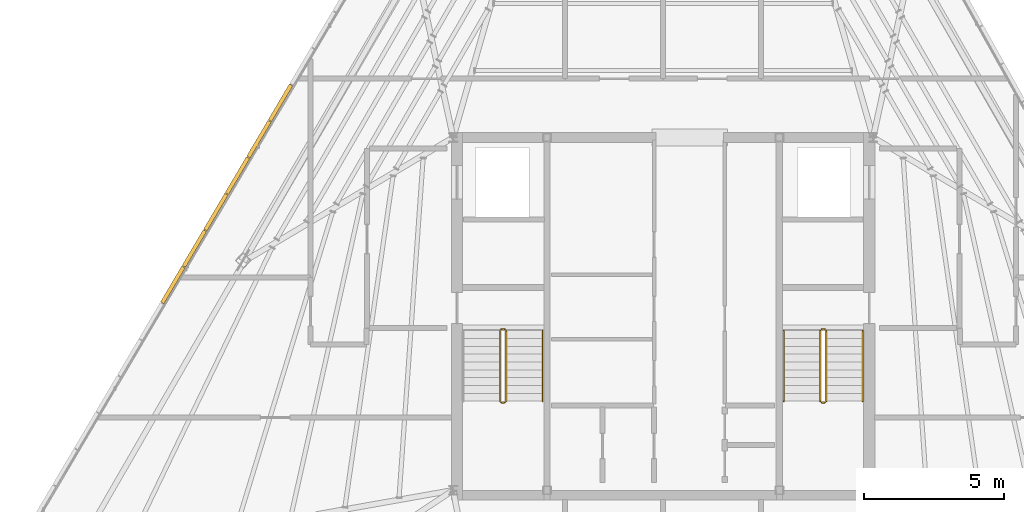
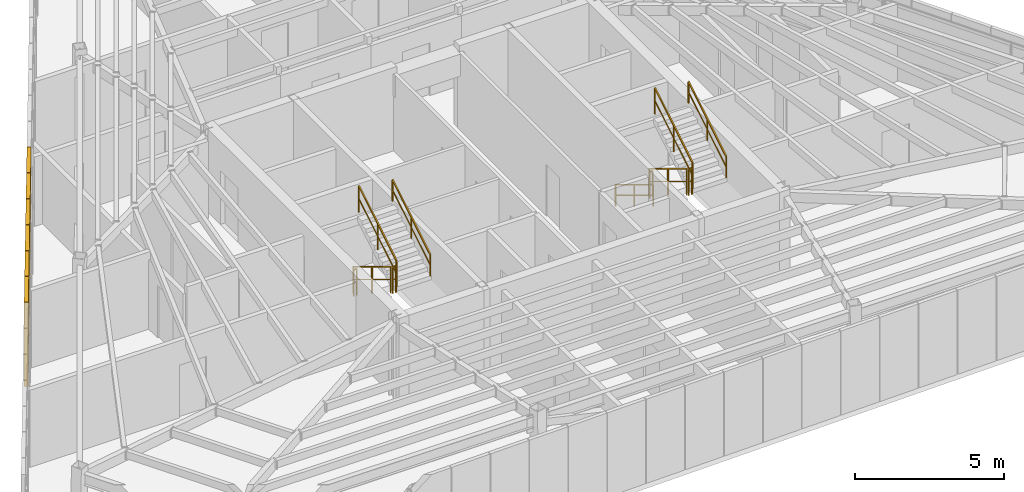
# One storey, part 47 of 48: 11 railings, 6 shading devices.
"""IFC4 building model written with IfcOpenShell, lengths in metres."""

from ifc_helpers import new_model, si_unit, direction, frame, origin, origin_2d, place, context, subcontext, project, spatial, rectangle, extrude, source, transform, mapped, material, layer, layer_set, type_object, type_shapes, element, save


model = new_model("IFC4")

# Units and contexts
model_context = context("Model", 3, precision=1e-05, world=origin(), true_north=direction((0.0, 1.0)))
body_context = subcontext(model_context, "Body", "Model", "MODEL_VIEW")
ifc_project = project(units=[si_unit("LENGTHUNIT", "METRE"), si_unit("AREAUNIT", "SQUARE_METRE"), si_unit("VOLUMEUNIT", "CUBIC_METRE"), si_unit("PLANEANGLEUNIT", "RADIAN"), si_unit("MASSUNIT", "GRAM", prefix="KILO")], contexts=[model_context])

# Site, building, storey
site_placement = place(None, origin())
site = spatial("IfcSite", under=ifc_project, at=site_placement, CompositionType="ELEMENT")
building_placement = place(site_placement, origin())
building = spatial("IfcBuilding", under=site, at=building_placement, Name="Caelisora Broadcast Tower", CompositionType="ELEMENT")
storey_placement = place(building_placement, frame((0.0, 0.0, 300.0)))
storey = spatial("IfcBuildingStorey", under=building, at=storey_placement, Name="L79", CompositionType="ELEMENT", Elevation=300.0)

# Railings
ifc_material_1 = material(Name="Galvanised Steel Safety Guardrail", Category="steel")
ifc_layer_1 = layer(ifc_material_1, 0.048095703125, Name="Galvanised Steel Safety Guardrail")
ifc_layer_set_1 = layer_set([ifc_layer_1], Name="Galvanised Steel Safety Guardrail")
railing_type_1 = type_object("IfcRailingType", Name="GR-1", PredefinedType="GUARDRAIL", material=ifc_layer_set_1)
railing_1_placement = place(storey_placement, frame((32.169921875, 23.10009765625, 0.169921875)))
element("IfcRailing", 1, at=railing_1_placement, inside=storey, type_object=railing_type_1, Name="L79 ST-1 stair guard 1", PredefinedType="GUARDRAIL", context=body_context, shape_type="SweptSolid", body=[
    extrude(rectangle(XDim=0.048095703125, YDim=0.048095703125, at=origin_2d()), frame((0.0, 0.0, 1.076171875), z_axis=(0.0, -0.85478489116, 0.518982456201), x_axis=(1.0, 0.0, 0.0)), (0.0, 0.0, 1.0), 2.9482421875),
    extrude(rectangle(XDim=0.03125, YDim=0.03125, at=origin_2d()), frame((0.0, 0.0, 0.550048828125), z_axis=(0.0, -0.85478489116, 0.518982456201), x_axis=(1.0, 0.0, 0.0)), (0.0, 0.0, 1.0), 2.9482421875),
    extrude(rectangle(XDim=0.0419921875, YDim=0.0419921875, at=origin_2d()), origin(), (0.0, 0.0, 1.0), 1.052001953125),
    extrude(rectangle(XDim=0.0419921875, YDim=0.0419921875, at=origin_2d()), frame((0.0, -1.260009765625, 0.76513671875)), (0.0, 0.0, 1.0), 1.052001953125),
    extrude(rectangle(XDim=0.0419921875, YDim=0.0419921875, at=origin_2d()), frame((0.0, -2.52001953125, 1.530029296875)), (0.0, 0.0, 1.0), 1.052001953125),
])
railing_2_placement = place(storey_placement, frame((32.219970703125, 20.530029296875, 1.699951171875)))
element("IfcRailing", 2, at=railing_2_placement, inside=storey, type_object=railing_type_1, Name="L79 ST-1 stair guard 2", PredefinedType="GUARDRAIL", context=body_context, shape_type="SweptSolid", body=[
    extrude(rectangle(XDim=0.048095703125, YDim=0.048095703125, at=origin_2d()), frame((0.0, 0.0, 1.076171875), z_axis=(1.0, 0.0, 0.0), x_axis=(0.0, 1.0, 0.0)), (0.0, 0.0, 1.0), 0.1201171875),
    extrude(rectangle(XDim=0.03125, YDim=0.03125, at=origin_2d()), frame((0.0, 0.0, 0.550048828125), z_axis=(1.0, 0.0, 0.0), x_axis=(0.0, 1.0, 0.0)), (0.0, 0.0, 1.0), 0.1201171875),
    extrude(rectangle(XDim=0.0419921875, YDim=0.0419921875, at=origin_2d()), origin(), (0.0, 0.0, 1.0), 1.052001953125),
    extrude(rectangle(XDim=0.0419921875, YDim=0.0419921875, at=origin_2d()), frame((0.1201171875, 0.0, 0.0)), (0.0, 0.0, 1.0), 1.052001953125),
])
railing_3_placement = place(storey_placement, frame((32.389892578125, 20.580078125, 1.8701171875)))
element("IfcRailing", 3, at=railing_3_placement, inside=storey, type_object=railing_type_1, Name="L79 ST-1 stair guard 3", PredefinedType="GUARDRAIL", context=body_context, shape_type="SweptSolid", body=[
    extrude(rectangle(XDim=0.048095703125, YDim=0.048095703125, at=origin_2d()), frame((0.0, 0.0, 1.076171875), z_axis=(0.0, 0.854821627497, 0.518921945155), x_axis=(-1.0, 0.0, 0.0)), (0.0, 0.0, 1.0), 2.947998046875),
    extrude(rectangle(XDim=0.03125, YDim=0.03125, at=origin_2d()), frame((0.0, 0.0, 0.550048828125), z_axis=(0.0, 0.854821627497, 0.518921945155), x_axis=(-1.0, 0.0, 0.0)), (0.0, 0.0, 1.0), 2.947998046875),
    extrude(rectangle(XDim=0.0419921875, YDim=0.0419921875, at=origin_2d()), origin(), (0.0, 0.0, 1.0), 1.052001953125),
    extrude(rectangle(XDim=0.0419921875, YDim=0.0419921875, at=origin_2d()), frame((0.0, 1.260009765625, 0.764892578125)), (0.0, 0.0, 1.0), 1.052001953125),
    extrude(rectangle(XDim=0.0419921875, YDim=0.0419921875, at=origin_2d()), frame((0.0, 2.52001953125, 1.52978515625)), (0.0, 0.0, 1.0), 1.052001953125),
])
railing_4_placement = place(storey_placement, frame((32.219970703125, 23.14990234375, 0.0)))
element("IfcRailing", 4, at=railing_4_placement, inside=storey, type_object=railing_type_1, Name="L79 ST-1 stair guard 4", PredefinedType="GUARDRAIL", context=body_context, shape_type="SweptSolid", body=[
    extrude(rectangle(XDim=0.048095703125, YDim=0.048095703125, at=origin_2d()), frame((0.0, 0.0, 1.076171875), z_axis=(1.0, 0.0, 0.0), x_axis=(0.0, 1.0, 0.0)), (0.0, 0.0, 1.0), 0.1201171875),
    extrude(rectangle(XDim=0.03125, YDim=0.03125, at=origin_2d()), frame((0.0, 0.0, 0.550048828125), z_axis=(1.0, 0.0, 0.0), x_axis=(0.0, 1.0, 0.0)), (0.0, 0.0, 1.0), 0.1201171875),
    extrude(rectangle(XDim=0.0419921875, YDim=0.0419921875, at=origin_2d()), origin(), (0.0, 0.0, 1.0), 1.052001953125),
    extrude(rectangle(XDim=0.0419921875, YDim=0.0419921875, at=origin_2d()), frame((0.1201171875, 0.0, 0.0)), (0.0, 0.0, 1.0), 1.052001953125),
])
railing_5_placement = place(storey_placement, frame((43.610107421875, 23.10009765625, 0.169921875)))
element("IfcRailing", 5, at=railing_5_placement, inside=storey, type_object=railing_type_1, Name="L79 ST-2 stair guard 1", PredefinedType="GUARDRAIL", context=body_context, shape_type="SweptSolid", body=[
    extrude(rectangle(XDim=0.048095703125, YDim=0.048095703125, at=origin_2d()), frame((0.0, 0.0, 1.076171875), z_axis=(0.0, -0.85478489116, 0.518982456201), x_axis=(1.0, 0.0, 0.0)), (0.0, 0.0, 1.0), 2.9482421875),
    extrude(rectangle(XDim=0.03125, YDim=0.03125, at=origin_2d()), frame((0.0, 0.0, 0.550048828125), z_axis=(0.0, -0.85478489116, 0.518982456201), x_axis=(1.0, 0.0, 0.0)), (0.0, 0.0, 1.0), 2.9482421875),
    extrude(rectangle(XDim=0.0419921875, YDim=0.0419921875, at=origin_2d()), origin(), (0.0, 0.0, 1.0), 1.052001953125),
    extrude(rectangle(XDim=0.0419921875, YDim=0.0419921875, at=origin_2d()), frame((0.0, -1.260009765625, 0.76513671875)), (0.0, 0.0, 1.0), 1.052001953125),
    extrude(rectangle(XDim=0.0419921875, YDim=0.0419921875, at=origin_2d()), frame((0.0, -2.52001953125, 1.530029296875)), (0.0, 0.0, 1.0), 1.052001953125),
])
railing_6_placement = place(storey_placement, frame((43.659912109375, 20.530029296875, 1.699951171875)))
element("IfcRailing", 6, at=railing_6_placement, inside=storey, type_object=railing_type_1, Name="L79 ST-2 stair guard 2", PredefinedType="GUARDRAIL", context=body_context, shape_type="SweptSolid", body=[
    extrude(rectangle(XDim=0.048095703125, YDim=0.048095703125, at=origin_2d()), frame((0.0, 0.0, 1.076171875), z_axis=(1.0, 0.0, 0.0), x_axis=(0.0, 1.0, 0.0)), (0.0, 0.0, 1.0), 0.1201171875),
    extrude(rectangle(XDim=0.03125, YDim=0.03125, at=origin_2d()), frame((0.0, 0.0, 0.550048828125), z_axis=(1.0, 0.0, 0.0), x_axis=(0.0, 1.0, 0.0)), (0.0, 0.0, 1.0), 0.1201171875),
    extrude(rectangle(XDim=0.0419921875, YDim=0.0419921875, at=origin_2d()), origin(), (0.0, 0.0, 1.0), 1.052001953125),
    extrude(rectangle(XDim=0.0419921875, YDim=0.0419921875, at=origin_2d()), frame((0.1201171875, 0.0, 0.0)), (0.0, 0.0, 1.0), 1.052001953125),
])
railing_7_placement = place(storey_placement, frame((43.830078125, 20.580078125, 1.8701171875)))
element("IfcRailing", 7, at=railing_7_placement, inside=storey, type_object=railing_type_1, Name="L79 ST-2 stair guard 3", PredefinedType="GUARDRAIL", context=body_context, shape_type="SweptSolid", body=[
    extrude(rectangle(XDim=0.048095703125, YDim=0.048095703125, at=origin_2d()), frame((0.0, 0.0, 1.076171875), z_axis=(0.0, 0.854821627497, 0.518921945155), x_axis=(-1.0, 0.0, 0.0)), (0.0, 0.0, 1.0), 2.947998046875),
    extrude(rectangle(XDim=0.03125, YDim=0.03125, at=origin_2d()), frame((0.0, 0.0, 0.550048828125), z_axis=(0.0, 0.854821627497, 0.518921945155), x_axis=(-1.0, 0.0, 0.0)), (0.0, 0.0, 1.0), 2.947998046875),
    extrude(rectangle(XDim=0.0419921875, YDim=0.0419921875, at=origin_2d()), origin(), (0.0, 0.0, 1.0), 1.052001953125),
    extrude(rectangle(XDim=0.0419921875, YDim=0.0419921875, at=origin_2d()), frame((0.0, 1.260009765625, 0.764892578125)), (0.0, 0.0, 1.0), 1.052001953125),
    extrude(rectangle(XDim=0.0419921875, YDim=0.0419921875, at=origin_2d()), frame((0.0, 2.52001953125, 1.52978515625)), (0.0, 0.0, 1.0), 1.052001953125),
])
railing_8_placement = place(storey_placement, frame((43.659912109375, 23.14990234375, 0.0)))
element("IfcRailing", 8, at=railing_8_placement, inside=storey, type_object=railing_type_1, Name="L79 ST-2 stair guard 4", PredefinedType="GUARDRAIL", context=body_context, shape_type="SweptSolid", body=[
    extrude(rectangle(XDim=0.048095703125, YDim=0.048095703125, at=origin_2d()), frame((0.0, 0.0, 1.076171875), z_axis=(1.0, 0.0, 0.0), x_axis=(0.0, 1.0, 0.0)), (0.0, 0.0, 1.0), 0.1201171875),
    extrude(rectangle(XDim=0.03125, YDim=0.03125, at=origin_2d()), frame((0.0, 0.0, 0.550048828125), z_axis=(1.0, 0.0, 0.0), x_axis=(0.0, 1.0, 0.0)), (0.0, 0.0, 1.0), 0.1201171875),
    extrude(rectangle(XDim=0.0419921875, YDim=0.0419921875, at=origin_2d()), origin(), (0.0, 0.0, 1.0), 1.052001953125),
    extrude(rectangle(XDim=0.0419921875, YDim=0.0419921875, at=origin_2d()), frame((0.1201171875, 0.0, 0.0)), (0.0, 0.0, 1.0), 1.052001953125),
])
ifc_material_2 = material(Name="Stainless Steel Grade 316 Tubular Handrail", Category="steel")
ifc_layer_2 = layer(ifc_material_2, 0.048095703125, Name="Stainless Steel Grade 316 Tubular Handrail")
ifc_layer_set_2 = layer_set([ifc_layer_2], Name="Stainless Steel Grade 316 Tubular Handrail")
railing_type_2 = type_object("IfcRailingType", Name="HR-1", PredefinedType="HANDRAIL", material=ifc_layer_set_2)
railing_9_placement = place(storey_placement, frame((33.68994140625, 20.580078125, 1.8701171875)))
element("IfcRailing", 9, at=railing_9_placement, inside=storey, type_object=railing_type_2, Name="L79 ST-1 stair handrail 2", PredefinedType="HANDRAIL", context=body_context, shape_type="SweptSolid", body=[
    extrude(rectangle(XDim=0.048095703125, YDim=0.048095703125, at=origin_2d()), frame((0.0, 0.0, 0.8759765625), z_axis=(0.0, 0.854821627497, 0.518921945155), x_axis=(-1.0, 0.0, 0.0)), (0.0, 0.0, 1.0), 2.947998046875),
    extrude(rectangle(XDim=0.03125, YDim=0.03125, at=origin_2d()), frame((0.0, 0.0, 0.449951171875), z_axis=(0.0, 0.854821627497, 0.518921945155), x_axis=(-1.0, 0.0, 0.0)), (0.0, 0.0, 1.0), 2.947998046875),
    extrude(rectangle(XDim=0.0419921875, YDim=0.0419921875, at=origin_2d()), origin(), (0.0, 0.0, 1.0), 0.851806640625),
    extrude(rectangle(XDim=0.0419921875, YDim=0.0419921875, at=origin_2d()), frame((0.0, 1.260009765625, 0.764892578125)), (0.0, 0.0, 1.0), 0.851806640625),
    extrude(rectangle(XDim=0.0419921875, YDim=0.0419921875, at=origin_2d()), frame((0.0, 2.52001953125, 1.52978515625)), (0.0, 0.0, 1.0), 0.851806640625),
])
railing_10_placement = place(storey_placement, frame((42.31005859375, 23.10009765625, 0.169921875)))
element("IfcRailing", 10, at=railing_10_placement, inside=storey, type_object=railing_type_2, Name="L79 ST-2 stair handrail 1", PredefinedType="HANDRAIL", context=body_context, shape_type="SweptSolid", body=[
    extrude(rectangle(XDim=0.048095703125, YDim=0.048095703125, at=origin_2d()), frame((0.0, 0.0, 0.8759765625), z_axis=(0.0, -0.85478489116, 0.518982456201), x_axis=(1.0, 0.0, 0.0)), (0.0, 0.0, 1.0), 2.9482421875),
    extrude(rectangle(XDim=0.03125, YDim=0.03125, at=origin_2d()), frame((0.0, 0.0, 0.449951171875), z_axis=(0.0, -0.85478489116, 0.518982456201), x_axis=(1.0, 0.0, 0.0)), (0.0, 0.0, 1.0), 2.9482421875),
    extrude(rectangle(XDim=0.0419921875, YDim=0.0419921875, at=origin_2d()), origin(), (0.0, 0.0, 1.0), 0.851806640625),
    extrude(rectangle(XDim=0.0419921875, YDim=0.0419921875, at=origin_2d()), frame((0.0, -1.260009765625, 0.76513671875)), (0.0, 0.0, 1.0), 0.851806640625),
    extrude(rectangle(XDim=0.0419921875, YDim=0.0419921875, at=origin_2d()), frame((0.0, -2.52001953125, 1.530029296875)), (0.0, 0.0, 1.0), 0.851806640625),
])
railing_11_placement = place(storey_placement, frame((45.1298828125, 20.580078125, 1.8701171875)))
element("IfcRailing", 11, at=railing_11_placement, inside=storey, type_object=railing_type_2, Name="L79 ST-2 stair handrail 2", PredefinedType="HANDRAIL", context=body_context, shape_type="SweptSolid", body=[
    extrude(rectangle(XDim=0.048095703125, YDim=0.048095703125, at=origin_2d()), frame((0.0, 0.0, 0.8759765625), z_axis=(0.0, 0.854821627497, 0.518921945155), x_axis=(-1.0, 0.0, 0.0)), (0.0, 0.0, 1.0), 2.947998046875),
    extrude(rectangle(XDim=0.03125, YDim=0.03125, at=origin_2d()), frame((0.0, 0.0, 0.449951171875), z_axis=(0.0, 0.854821627497, 0.518921945155), x_axis=(-1.0, 0.0, 0.0)), (0.0, 0.0, 1.0), 2.947998046875),
    extrude(rectangle(XDim=0.0419921875, YDim=0.0419921875, at=origin_2d()), origin(), (0.0, 0.0, 1.0), 0.851806640625),
    extrude(rectangle(XDim=0.0419921875, YDim=0.0419921875, at=origin_2d()), frame((0.0, 1.260009765625, 0.764892578125)), (0.0, 0.0, 1.0), 0.851806640625),
    extrude(rectangle(XDim=0.0419921875, YDim=0.0419921875, at=origin_2d()), frame((0.0, 2.52001953125, 1.52978515625)), (0.0, 0.0, 1.0), 0.851806640625),
])

# Shading devices
ifc_material_3 = material(Name="Anodised Terracotta Aluminium Acoustic Louvre", Category="aluminium")
ifc_layer_3 = layer(ifc_material_3, 0.139892578125, Name="Anodised Terracotta Aluminium Acoustic Louvre")
ifc_layer_set_3 = layer_set([ifc_layer_3], Name="Anodised Terracotta Aluminium Acoustic Louvre")
shading_device_type = type_object("IfcShadingDeviceType", Name="LV-1", PredefinedType="JALOUSIE", material=ifc_layer_set_3)
shared_shape = source(origin(), body_context, "Body", "SweptSolid", [
    extrude(rectangle(XDim=1.482177734375, YDim=0.139892578125, at=origin_2d()), origin(), (0.0, 0.0, 1.0), 3.43994140625),
])
type_shapes(shading_device_type, [shared_shape])
for number, where, z_axis, x_axis, name in (
    (12, (24.332763671875, 31.2421875, -0.02001953125), (0.0, 0.0, 1.0), (-0.508891180174, -0.860830858381, 0.0), "L79 crown acoustic louvre #019"),
    (13, (23.563232421875, 29.940673828125, -0.02001953125), (0.0, 0.0, 1.0), (-0.508891180174, -0.860830858381, 0.0), "L79 crown acoustic louvre #020"),
    (14, (22.7939453125, 28.638916015625, -0.02001953125), (0.0, 0.0, 1.0), (-0.508891180174, -0.860830858381, 0.0), "L79 crown acoustic louvre #021"),
    (15, (22.0244140625, 27.337158203125, -0.02001953125), (0.0, 0.0, 1.0), (-0.508891180174, -0.860830858381, 0.0), "L79 crown acoustic louvre #022"),
    (16, (21.255126953125, 26.035400390625, -0.02001953125), (0.0, 0.0, 1.0), (-0.508891180174, -0.860830858381, 0.0), "L79 crown acoustic louvre #023"),
    (17, (20.485595703125, 24.73388671875, -0.02001953125), (0.0, 0.0, 1.0), (-0.508891180174, -0.860830858381, 0.0), "L79 crown acoustic louvre #024"),
):
    element("IfcShadingDevice", number, at=place(storey_placement, frame(where, z_axis=z_axis, x_axis=x_axis)), inside=storey, type_object=shading_device_type, Name=name, PredefinedType="JALOUSIE", context=body_context, shape_type="MappedRepresentation", body=[
        mapped(shared_shape, transform((0.0, 0.0, 0.0), scale=1.0)),
    ])

save(model, "model.ifc")
